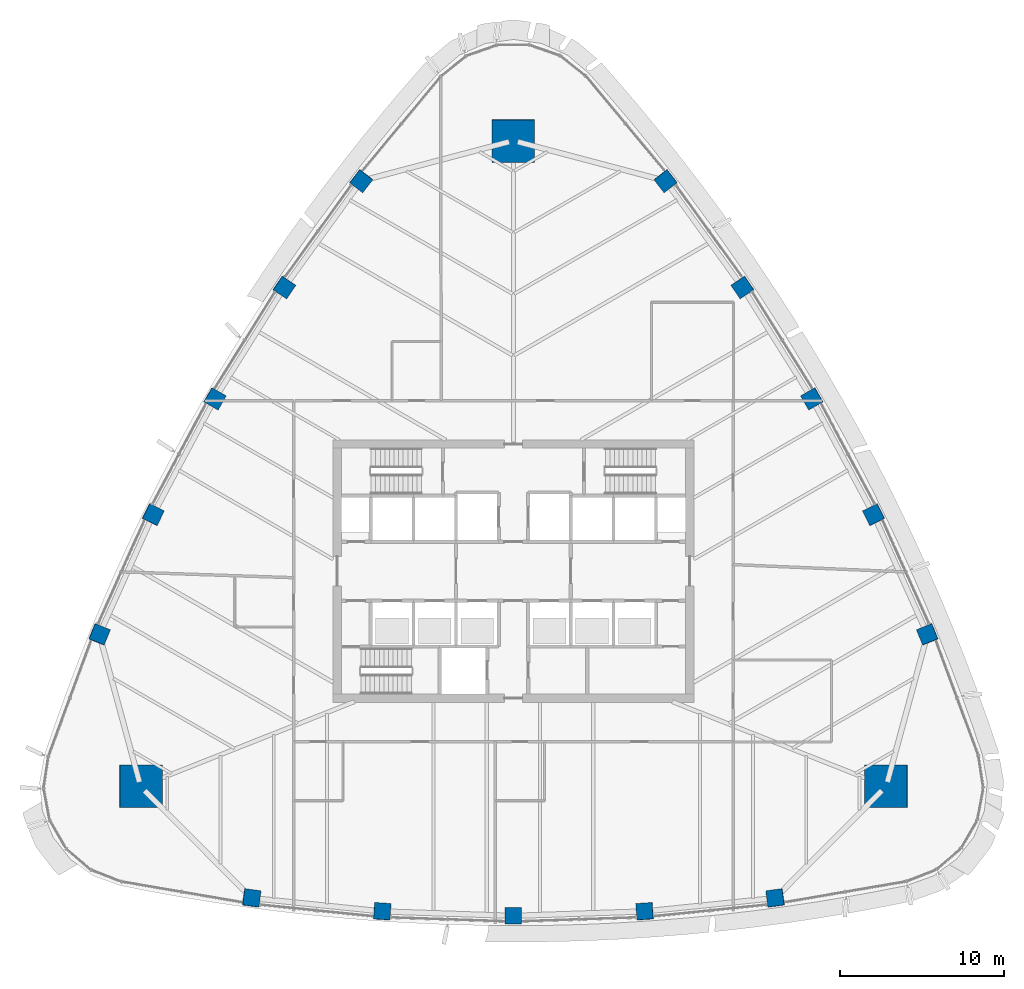
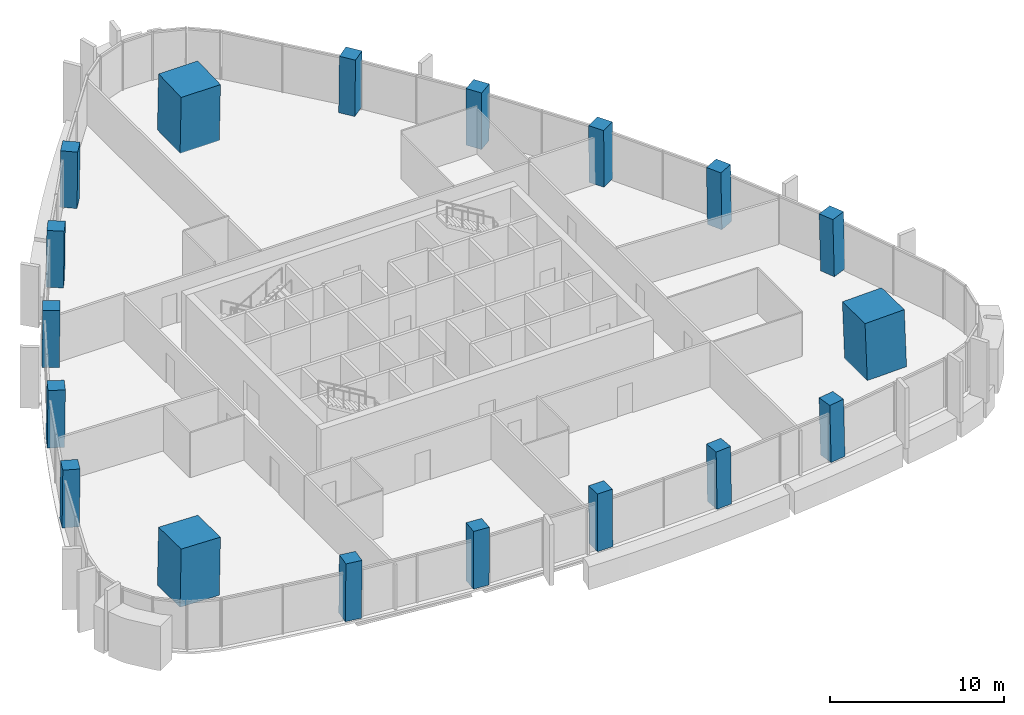
# One storey, part 1 of 19: 18 columns.
"""IFC4 building model written with IfcOpenShell, lengths in metres."""

from ifc_helpers import new_model, si_unit, direction, frame, origin, origin_2d, place, context, subcontext, project, spatial, rectangle, extrude, clip, halfspace, material, material_profile, profile_set, type_object, element, save


model = new_model("IFC4")

# Units and contexts
model_context = context("Model", 3, precision=1e-05, world=origin(), true_north=direction((0.0, 1.0)))
body_context = subcontext(model_context, "Body", "Model", "MODEL_VIEW")
ifc_project = project(units=[si_unit("LENGTHUNIT", "METRE"), si_unit("AREAUNIT", "SQUARE_METRE"), si_unit("VOLUMEUNIT", "CUBIC_METRE"), si_unit("PLANEANGLEUNIT", "RADIAN"), si_unit("MASSUNIT", "GRAM", prefix="KILO")], contexts=[model_context])

# Site, building, storey
site_placement = place(None, origin())
site = spatial("IfcSite", under=ifc_project, at=site_placement, CompositionType="ELEMENT")
building_placement = place(site_placement, origin())
building = spatial("IfcBuilding", under=site, at=building_placement, Name="Sierra Prisma Convention Tower", CompositionType="ELEMENT")
storey_placement = place(building_placement, frame((0.0, 0.0, 209.800048828125)))
storey = spatial("IfcBuildingStorey", under=building, at=storey_placement, Name="L47", CompositionType="ELEMENT", Elevation=209.800048828125)

# Columns
ifc_material_1 = material(Name="Concrete C60/75", Category="concrete")
ifc_material_profile_1 = material_profile(ifc_material_1, rectangle(XDim=2.60009765625, YDim=2.60009765625, at=origin_2d()), Name="Mega column RC 2600 C60/75")
ifc_profile_set_1 = profile_set([ifc_material_profile_1], Name="Concrete C60/75")
column_type_1 = type_object("IfcColumnType", Name="Mega column RC 2600 C60/75", PredefinedType="COLUMN", material=ifc_profile_set_1)
column_1_placement = place(storey_placement, frame((22.739501953125, -13.128662109375, 0.0), z_axis=(-0.02793953433, 0.016165887767, 0.999478887468), x_axis=(0.99960961501, 0.000451843769, 0.027935880437)))
element("IfcColumn", 1, at=column_1_placement, inside=storey, type_object=column_type_1, Name="Mega column SE L47", PredefinedType="COLUMN", context=body_context, shape_type="SweptSolid", body=[
    clip(extrude(rectangle(XDim=2.60009765625, YDim=2.60009765625, at=origin_2d()), origin(), (0.0, 0.0, 1.0), 4.002197265625), halfspace(frame((0.0, 0.0, 3.9921875)), False)),
])
column_2_placement = place(storey_placement, frame((0.0, 26.257080078125, 0.0), z_axis=(0.0, -0.032209841054, 0.999481128456), x_axis=(1.0, 0.0, 0.0)))
element("IfcColumn", 2, at=column_2_placement, inside=storey, type_object=column_type_1, Name="Mega column N L47", PredefinedType="COLUMN", context=body_context, shape_type="SweptSolid", body=[
    clip(extrude(rectangle(XDim=2.60009765625, YDim=2.60009765625, at=origin_2d()), origin(), (0.0, 0.0, 1.0), 4.002197265625), halfspace(frame((0.0, 0.0, 3.994873046875)), False)),
])
column_3_placement = place(storey_placement, frame((-22.739501953125, -13.128662109375, 0.0), z_axis=(0.02793953433, 0.016165887767, 0.999478887468), x_axis=(0.99960961501, -0.000451843769, -0.027935880437)))
element("IfcColumn", 3, at=column_3_placement, inside=storey, type_object=column_type_1, Name="Mega column SW L47", PredefinedType="COLUMN", context=body_context, shape_type="SweptSolid", body=[
    clip(extrude(rectangle(XDim=2.60009765625, YDim=2.60009765625, at=origin_2d()), origin(), (0.0, 0.0, 1.0), 4.002197265625), halfspace(frame((0.0, 0.0, 3.9921875)), False)),
])
ifc_material_2 = material(Name="Concrete C60/75", Category="concrete")
ifc_material_profile_2 = material_profile(ifc_material_2, rectangle(XDim=1.0, YDim=1.0, at=origin_2d()), Name="Perimeter column RC 1000 C60/75")
ifc_profile_set_2 = profile_set([ifc_material_profile_2], Name="Concrete C60/75")
column_type_2 = type_object("IfcColumnType", Name="Perimeter column RC 1000 C60/75", PredefinedType="COLUMN", material=ifc_profile_set_2)
column_4_placement = place(storey_placement, frame((-15.972900390625, -19.938720703125, 0.0), z_axis=(0.017574453011, 0.010434831475, 0.999791104628), x_axis=(-0.990627244409, 0.135653016155, 0.015997557411)))
element("IfcColumn", 4, at=column_4_placement, inside=storey, type_object=column_type_2, Name="Perimeter column S-1 L47", PredefinedType="COLUMN", context=body_context, shape_type="SweptSolid", body=[
    clip(extrude(rectangle(XDim=1.0, YDim=1.0, at=origin_2d()), origin(), (0.0, 0.0, 1.0), 4.000732421875), halfspace(frame((0.0, 0.0, 3.998046875)), False)),
])
column_5_placement = place(storey_placement, frame((-8.0048828125, -20.753662109375, 0.0), z_axis=(0.008788174922, 0.01116830563, 0.999899013366), x_axis=(-0.997653816386, 0.06799057406, 0.008009025544)))
element("IfcColumn", 5, at=column_5_placement, inside=storey, type_object=column_type_2, Name="Perimeter column S-2 L47", PredefinedType="COLUMN", context=body_context, shape_type="SweptSolid", body=[
    clip(extrude(rectangle(XDim=1.0, YDim=1.0, at=origin_2d()), origin(), (0.0, 0.0, 1.0), 4.00048828125), halfspace(frame((0.0, 0.0, 3.99853515625)), False)),
])
column_6_placement = place(storey_placement, frame((0.0, -21.025634765625, 0.0), z_axis=(0.0, 0.01141283087, 0.999934871525), x_axis=(1.0, 0.0, 0.0)))
element("IfcColumn", 6, at=column_6_placement, inside=storey, type_object=column_type_2, Name="Perimeter column S-3 L47", PredefinedType="COLUMN", context=body_context, shape_type="SweptSolid", body=[
    clip(extrude(rectangle(XDim=1.0, YDim=1.0, at=origin_2d()), origin(), (0.0, 0.0, 1.0), 4.000244140625), halfspace(frame((0.0, 0.0, 3.9990234375)), False)),
])
column_7_placement = place(storey_placement, frame((8.0048828125, -20.753662109375, 0.0), z_axis=(-0.008788174922, 0.01116830563, 0.999899013366), x_axis=(0.997653816386, 0.06799057406, 0.008009025544)))
element("IfcColumn", 7, at=column_7_placement, inside=storey, type_object=column_type_2, Name="Perimeter column S-4 L47", PredefinedType="COLUMN", context=body_context, shape_type="SweptSolid", body=[
    clip(extrude(rectangle(XDim=1.0, YDim=1.0, at=origin_2d()), origin(), (0.0, 0.0, 1.0), 4.00048828125), halfspace(frame((0.0, 0.0, 3.99853515625)), False)),
])
for number, where, z_axis, x_axis, name in (
    (8, (15.972900390625, -19.938720703125, 0.0), (-0.017574453011, 0.010434831475, 0.999791104628), (0.990627244409, 0.135653016155, 0.015997557411), "Perimeter column S-5 L47"),
    (9, (25.25390625, -3.863525390625, 0.0), (-0.017818543466, 0.010007675097, 0.999791151165), (-0.378002138805, 0.925666409235, -0.016002558328), "Perimeter column NE-1 L47"),
):
    element("IfcColumn", number, at=place(storey_placement, frame(where, z_axis=z_axis, x_axis=x_axis)), inside=storey, type_object=column_type_2, Name=name, PredefinedType="COLUMN", context=body_context, shape_type="SweptSolid", body=[
        clip(extrude(rectangle(XDim=1.0, YDim=1.0, at=origin_2d()), origin(), (0.0, 0.0, 1.0), 4.000732421875), halfspace(frame((0.0, 0.0, 3.998046875)), False)),
    ])
column_8_placement = place(storey_placement, frame((21.9755859375, 3.4443359375, 0.0), z_axis=(-0.014097691364, 0.002013955909, 0.999898594398), x_axis=(-0.440002016218, 0.897961039861, -0.008012279057)))
element("IfcColumn", 10, at=column_8_placement, inside=storey, type_object=column_type_2, Name="Perimeter column NE-2 L47", PredefinedType="COLUMN", context=body_context, shape_type="SweptSolid", body=[
    clip(extrude(rectangle(XDim=1.0, YDim=1.0, at=origin_2d()), origin(), (0.0, 0.0, 1.0), 4.00048828125), halfspace(frame((0.0, 0.0, 3.998291015625)), False)),
])
column_9_placement = place(storey_placement, frame((18.208740234375, 10.512939453125, 0.0), z_axis=(-0.009887049298, -0.00573692984, 0.999934664812), x_axis=(-0.499975560967, 0.866039512843, 2.5126546e-05)))
element("IfcColumn", 11, at=column_9_placement, inside=storey, type_object=column_type_2, Name="Perimeter column NE-3 L47", PredefinedType="COLUMN", context=body_context, shape_type="SweptSolid", body=[
    clip(extrude(rectangle(XDim=1.0, YDim=1.0, at=origin_2d()), origin(), (0.0, 0.0, 1.0), 4.000244140625), halfspace(frame((0.0, 0.0, 3.9990234375)), False)),
])
column_10_placement = place(storey_placement, frame((13.970703125, 17.309326171875, 0.0), z_axis=(-0.005248495047, -0.01318226663, 0.999899335506), x_axis=(-0.557638916496, 0.83004492885, 0.008015915394)))
element("IfcColumn", 12, at=column_10_placement, inside=storey, type_object=column_type_2, Name="Perimeter column NE-4 L47", PredefinedType="COLUMN", context=body_context, shape_type="SweptSolid", body=[
    clip(extrude(rectangle(XDim=1.0, YDim=1.0, at=origin_2d()), origin(), (0.0, 0.0, 1.0), 4.00048828125), halfspace(frame((0.0, 0.0, 3.99853515625)), False)),
])
for number, where, z_axis, x_axis, name in (
    (13, (9.281005859375, 23.80224609375, 0.0), (-0.000244089904, -0.020381506962, 0.999792245716), (-0.612718083831, 0.790140425289, 0.015958009626), "Perimeter column NE-5 L47"),
    (14, (-9.281005859375, 23.80224609375, 0.0), (0.000244089904, -0.020381506962, 0.999792245716), (0.612718083831, 0.790140425289, 0.015958009626), "Perimeter column NW-1 L47"),
):
    element("IfcColumn", number, at=place(storey_placement, frame(where, z_axis=z_axis, x_axis=x_axis)), inside=storey, type_object=column_type_2, Name=name, PredefinedType="COLUMN", context=body_context, shape_type="SweptSolid", body=[
        clip(extrude(rectangle(XDim=1.0, YDim=1.0, at=origin_2d()), origin(), (0.0, 0.0, 1.0), 4.000732421875), halfspace(frame((0.0, 0.0, 3.998046875)), False)),
    ])
column_11_placement = place(storey_placement, frame((-13.970703125, 17.309326171875, 0.0), z_axis=(0.005248495047, -0.01318226663, 0.999899335506), x_axis=(0.557638916496, 0.83004492885, 0.008015915394)))
element("IfcColumn", 15, at=column_11_placement, inside=storey, type_object=column_type_2, Name="Perimeter column NW-2 L47", PredefinedType="COLUMN", context=body_context, shape_type="SweptSolid", body=[
    clip(extrude(rectangle(XDim=1.0, YDim=1.0, at=origin_2d()), origin(), (0.0, 0.0, 1.0), 4.00048828125), halfspace(frame((0.0, 0.0, 3.99853515625)), False)),
])
column_12_placement = place(storey_placement, frame((-18.208740234375, 10.512939453125, 0.0), z_axis=(0.009887049298, -0.00573692984, 0.999934664812), x_axis=(0.499975560967, 0.866039512843, 2.5126546e-05)))
element("IfcColumn", 16, at=column_12_placement, inside=storey, type_object=column_type_2, Name="Perimeter column NW-3 L47", PredefinedType="COLUMN", context=body_context, shape_type="SweptSolid", body=[
    clip(extrude(rectangle(XDim=1.0, YDim=1.0, at=origin_2d()), origin(), (0.0, 0.0, 1.0), 4.000244140625), halfspace(frame((0.0, 0.0, 3.9990234375)), False)),
])
column_13_placement = place(storey_placement, frame((-21.9755859375, 3.4443359375, 0.0), z_axis=(0.014097691364, 0.002013955909, 0.999898594398), x_axis=(0.440002016218, 0.897961039861, -0.008012279057)))
element("IfcColumn", 17, at=column_13_placement, inside=storey, type_object=column_type_2, Name="Perimeter column NW-4 L47", PredefinedType="COLUMN", context=body_context, shape_type="SweptSolid", body=[
    clip(extrude(rectangle(XDim=1.0, YDim=1.0, at=origin_2d()), origin(), (0.0, 0.0, 1.0), 4.00048828125), halfspace(frame((0.0, 0.0, 3.998291015625)), False)),
])
column_14_placement = place(storey_placement, frame((-25.25390625, -3.863525390625, 0.0), z_axis=(0.017818543466, 0.010007675097, 0.999791151165), x_axis=(0.378002138805, 0.925666409235, -0.016002558328)))
element("IfcColumn", 18, at=column_14_placement, inside=storey, type_object=column_type_2, Name="Perimeter column NW-5 L47", PredefinedType="COLUMN", context=body_context, shape_type="SweptSolid", body=[
    clip(extrude(rectangle(XDim=1.0, YDim=1.0, at=origin_2d()), origin(), (0.0, 0.0, 1.0), 4.000732421875), halfspace(frame((0.0, 0.0, 3.998046875)), False)),
])

save(model, "model.ifc")
